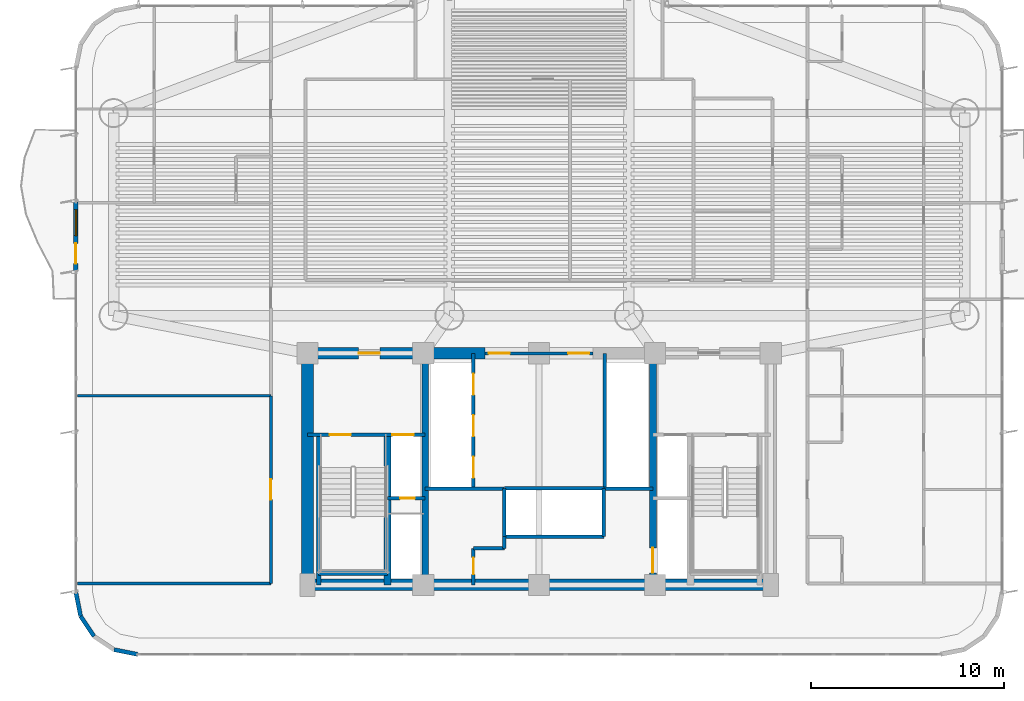
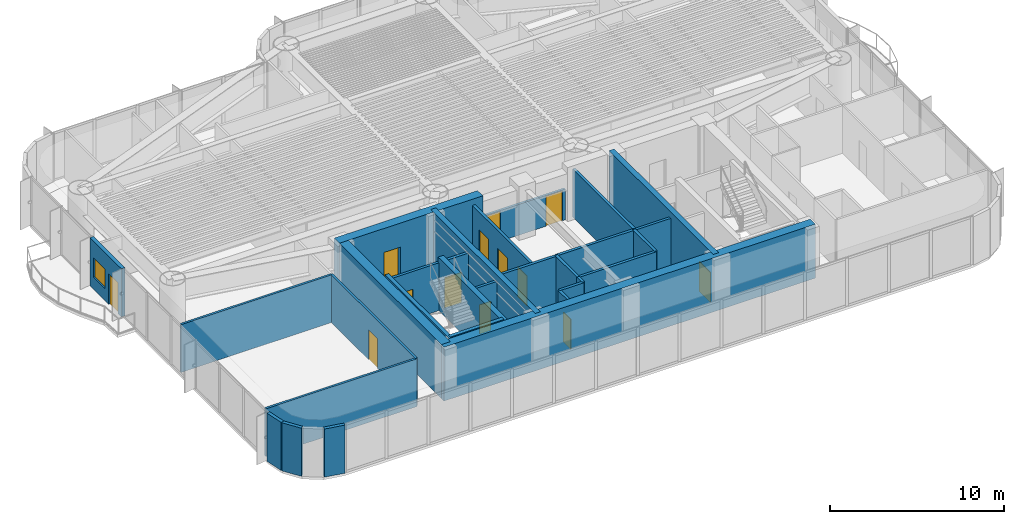
# One storey, part 9 of 17: 29 walls, 13 doors, 1 window, 14 openings.
"""IFC4 building model written with IfcOpenShell, lengths in metres."""

from ifc_helpers import new_model, si_unit, direction, frame, frame_2d, origin, origin_2d, place, context, subcontext, project, spatial, rectangle, extrude, source, transform, mapped, material, layer, layer_set, type_object, element, fill, save


model = new_model("IFC4")

# Units and contexts
model_context = context("Model", 3, precision=1e-05, world=origin(), true_north=direction((0.0, 1.0)))
body_context = subcontext(model_context, "Body", "Model", "MODEL_VIEW")
ifc_project = project(units=[si_unit("LENGTHUNIT", "METRE"), si_unit("AREAUNIT", "SQUARE_METRE"), si_unit("VOLUMEUNIT", "CUBIC_METRE"), si_unit("PLANEANGLEUNIT", "RADIAN"), si_unit("MASSUNIT", "GRAM", prefix="KILO")], contexts=[model_context])

# Site, building, storey
site_placement = place(None, origin())
site = spatial("IfcSite", under=ifc_project, at=site_placement, CompositionType="ELEMENT")
building_placement = place(site_placement, origin())
building = spatial("IfcBuilding", under=site, at=building_placement, Name="Brelvock Crest Care Tower", CompositionType="ELEMENT")
storey_placement = place(building_placement, frame((0.0, 0.0, 76.139892578125)))
storey = spatial("IfcBuildingStorey", under=building, at=storey_placement, Name="L19", CompositionType="ELEMENT", Elevation=76.139892578125)

# Walls
ifc_material_1 = material(Name="Concrete S80 (80 MPa)", Category="concrete")
ifc_layer_1 = layer(ifc_material_1, 0.60009765625, Name="WL-CS1")
ifc_layer_set_1 = layer_set([ifc_layer_1], Name="Concrete S80 (80 MPa)")
wall_type_1 = type_object("IfcWallType", Name="WL-CS1", PredefinedType="SHEAR", material=ifc_layer_set_1)
wall_1_placement = place(storey_placement, frame((48.300048828125, 6.0, 0.0), z_axis=(0.0, 0.0, 1.0), x_axis=(-1.0, 0.0, 0.0)))
element("IfcWall", 1, at=wall_1_placement, inside=storey, type_object=wall_type_1, Name="L19 Core South Shear Wall", PredefinedType="SHEAR", context=body_context, shape_type="SweptSolid", body=[
    extrude(rectangle(XDim=24.60009765625, YDim=0.60009765625, at=frame_2d((12.300048828125, 0.0))), origin(), (0.0, 0.0, 1.0), 3.780029296875),
])
wall_2_placement = place(storey_placement, frame((24.0, 6.0, 0.0), z_axis=(0.0, 0.0, 1.0), x_axis=(0.0, 1.0, 0.0)))
element("IfcWall", 2, at=wall_2_placement, inside=storey, type_object=wall_type_1, Name="L19 Core West Shear Wall", PredefinedType="SHEAR", context=body_context, shape_type="SweptSolid", body=[
    extrude(rectangle(XDim=12.0, YDim=0.60009765625, at=frame_2d((6.0, 0.0))), origin(), (0.0, 0.0, 1.0), 3.780029296875),
])

# Wall, opening, door
wall_3_placement = place(storey_placement, frame((23.699951171875, 18.0, 0.0), z_axis=(0.0, 0.0, 1.0), x_axis=(1.0, 0.0, 0.0)))
wall_3 = element("IfcWall", 3, at=wall_3_placement, inside=storey, type_object=wall_type_1, Name="L19 Core North-West Shear Wall", PredefinedType="SHEAR", context=body_context, shape_type="SweptSolid", body=[
    extrude(rectangle(XDim=9.5, YDim=0.60009765625, at=frame_2d((4.75, 0.0))), origin(), (0.0, 0.0, 1.0), 3.780029296875),
])
opening_1_placement = place(wall_3_placement, frame((2.949951171875, 0.0, 0.0)))
opening_1 = element("IfcOpeningElement", 4, at=opening_1_placement, cuts=wall_3, Name="Opening FD-1", PredefinedType="OPENING", context=body_context, shape_type="SweptSolid", body=[
    extrude(rectangle(XDim=1.10009765625, YDim=2.10009765625, at=origin_2d()), frame((0.550048828125, 0.31005859375, 1.050048828125), z_axis=(0.0, -1.0, 0.0), x_axis=(1.0, 0.0, 0.0)), (0.0, 0.0, 1.0), 0.6201171875),
])
ifc_material_2 = material(Name="Steel Grade 350", Category="steel")
door_type_1 = type_object("IfcDoorType", Name="DR-FFL1", OperationType="NOTDEFINED", PredefinedType="DOOR", material=ifc_material_2)
shared_shape_1 = source(origin(), body_context, "Body", "SweptSolid", [
    extrude(rectangle(XDim=1.10009765625, YDim=2.10009765625, at=origin_2d()), frame((0.550048828125, 0.02490234375, 1.050048828125), z_axis=(0.0, -1.0, 0.0), x_axis=(1.0, 0.0, 0.0)), (0.0, 0.0, 1.0), 0.050048828125),
])
door_1_placement = place(opening_1_placement, origin())
door_1 = element("IfcDoor", 5, at=door_1_placement, inside=storey, type_object=door_type_1, Name="L19 Firefighting Lobby FFL-1 Exit Door", OperationType="SINGLE_SWING_LEFT", OverallHeight=2.10009765625, OverallWidth=1.10009765625, PredefinedType="DOOR", context=body_context, shape_type="MappedRepresentation", body=[
    mapped(shared_shape_1, transform((0.0, 0.0, 0.0), x_axis=(1.0, 0.0, 0.0), y_axis=(0.0, 1.0, 0.0), z_axis=(0.0, 0.0, 1.0), scale=1.0)),
])
fill(opening_1, door_1)

# Wall
ifc_layer_2 = layer(ifc_material_1, 0.35009765625, Name="WL-CS5")
ifc_layer_set_2 = layer_set([ifc_layer_2], Name="Concrete S80 (80 MPa)")
wall_type_2 = type_object("IfcWallType", Name="WL-CS5", PredefinedType="SHEAR", material=ifc_layer_set_2)
wall_4_placement = place(storey_placement, frame((30.10009765625, 6.0, 0.0), z_axis=(0.0, 0.0, 1.0), x_axis=(0.0, 1.0, 0.0)))
element("IfcWall", 6, at=wall_4_placement, inside=storey, type_object=wall_type_2, Name="L19 Core Internal Web Wall West", PredefinedType="SHEAR", context=body_context, shape_type="SweptSolid", body=[
    extrude(rectangle(XDim=12.0, YDim=0.35009765625, at=frame_2d((6.0, 0.0))), origin(), (0.0, 0.0, 1.0), 3.780029296875),
])

# Wall, opening, door
wall_5_placement = place(storey_placement, frame((41.89990234375, 18.0, 0.0), z_axis=(0.0, 0.0, 1.0), x_axis=(0.0, -1.0, 0.0)))
wall_5 = element("IfcWall", 7, at=wall_5_placement, inside=storey, type_object=wall_type_2, Name="L19 Core Internal Web Wall East", PredefinedType="SHEAR", context=body_context, shape_type="SweptSolid", body=[
    extrude(rectangle(XDim=12.0, YDim=0.35009765625, at=frame_2d((6.0, 0.0))), origin(), (0.0, 0.0, 1.0), 3.780029296875),
])
opening_2_placement = place(wall_5_placement, frame((10.080078125, 0.0, 0.0)))
opening_2 = element("IfcOpeningElement", 8, at=opening_2_placement, cuts=wall_5, Name="Opening LD-S", PredefinedType="OPENING", context=body_context, shape_type="SweptSolid", body=[
    extrude(rectangle(XDim=1.300048828125, YDim=2.10009765625, at=origin_2d()), frame((0.64990234375, 0.18505859375, 1.050048828125), z_axis=(0.0, -1.0, 0.0), x_axis=(1.0, 0.0, 0.0)), (0.0, 0.0, 1.0), 0.3701171875),
])
door_type_2 = type_object("IfcDoorType", Name="DR-LDS1", OperationType="NOTDEFINED", PredefinedType="DOOR", material=ifc_material_2)
shared_shape_2 = source(origin(), body_context, "Body", "SweptSolid", [
    extrude(rectangle(XDim=1.300048828125, YDim=2.10009765625, at=origin_2d()), frame((0.64990234375, 0.02490234375, 1.050048828125), z_axis=(0.0, -1.0, 0.0), x_axis=(1.0, 0.0, 0.0)), (0.0, 0.0, 1.0), 0.050048828125),
])
door_2_placement = place(opening_2_placement, origin())
door_2 = element("IfcDoor", 9, at=door_2_placement, inside=storey, type_object=door_type_2, Name="L19 Clinical Bed Lift SL-1 Landing Door", OperationType="SLIDING_TO_LEFT", OverallHeight=2.10009765625, OverallWidth=1.300048828125, PredefinedType="DOOR", context=body_context, shape_type="MappedRepresentation", body=[
    mapped(shared_shape_2, transform((0.0, 0.0, 0.0), x_axis=(1.0, 0.0, 0.0), y_axis=(0.0, 1.0, 0.0), z_axis=(0.0, 0.0, 1.0), scale=1.0)),
])
fill(opening_2, door_2)

# Walls
wall_6_placement = place(storey_placement, frame((28.14990234375, 6.0, 0.0), z_axis=(0.0, 0.0, 1.0), x_axis=(0.0, 1.0, 0.0)))
element("IfcWall", 10, at=wall_6_placement, inside=storey, type_object=wall_type_2, Name="L19 Core Stair ST-1 East Shear Wall", PredefinedType="SHEAR", context=body_context, shape_type="SweptSolid", body=[
    extrude(rectangle(XDim=7.780029296875, YDim=0.35009765625, at=frame_2d((3.89013671875, 0.0))), origin(), (0.0, 0.0, 1.0), 3.692138671875),
])
ifc_layer_3 = layer(ifc_material_1, 0.25, Name="WL-CS6")
ifc_layer_set_3 = layer_set([ifc_layer_3], Name="Concrete S80 (80 MPa)")
wall_type_3 = type_object("IfcWallType", Name="WL-CS6", PredefinedType="SHEAR", material=ifc_layer_set_3)
wall_7_placement = place(storey_placement, frame((24.580078125, 6.0, 0.0), z_axis=(0.0, 0.0, 1.0), x_axis=(0.0, 1.0, 0.0)))
element("IfcWall", 11, at=wall_7_placement, inside=storey, type_object=wall_type_3, Name="L19 Core Stair ST-1 West Shear Wall", PredefinedType="SHEAR", context=body_context, shape_type="SweptSolid", body=[
    extrude(rectangle(XDim=7.780029296875, YDim=0.25, at=frame_2d((3.89013671875, 0.0))), origin(), (0.0, 0.0, 1.0), 3.692138671875),
])
wall_8_placement = place(storey_placement, frame((24.580078125, 6.6201171875, 0.0), z_axis=(0.0, 0.0, 1.0), x_axis=(1.0, 0.0, 0.0)))
element("IfcWall", 12, at=wall_8_placement, inside=storey, type_object=wall_type_3, Name="L19 Core Stair ST-1 South Shear Wall", PredefinedType="SHEAR", context=body_context, shape_type="SweptSolid", body=[
    extrude(rectangle(XDim=3.56982421875, YDim=0.25, at=frame_2d((1.784912109375, 0.0))), origin(), (0.0, 0.0, 1.0), 3.692138671875),
])

# Wall, openings, door, window
ifc_material_3 = material(Name="Precast concrete N40 (40 MPa)", Category="concrete")
ifc_layer_4 = layer(ifc_material_3, 0.239990234375, Name="WL-EX1")
ifc_layer_set_4 = layer_set([ifc_layer_4], Name="Precast concrete N40 (40 MPa)")
wall_type_4 = type_object("IfcWallType", Name="WL-EX1", PredefinedType="SOLIDWALL", material=ifc_layer_set_4)
wall_9_placement = place(storey_placement, frame((12.0, 22.25, 0.0), z_axis=(0.0, 0.0, 1.0), x_axis=(0.0, 1.0, 0.0)))
wall_9 = element("IfcWall", 13, at=wall_9_placement, inside=storey, type_object=wall_type_4, Name="L19 Exterior Spandrel Wall WL-BAL-L19-W", PredefinedType="SOLIDWALL", context=body_context, shape_type="SweptSolid", body=[
    extrude(rectangle(XDim=3.60009765625, YDim=0.239990234375, at=frame_2d((1.800048828125, 0.0))), origin(), (0.0, 0.0, 1.0), 3.3720703125),
])
opening_3_placement = place(wall_9_placement, frame((0.39990234375, 0.0, 0.0)))
opening_3 = element("IfcOpeningElement", 14, at=opening_3_placement, cuts=wall_9, Name="Opening BD-1", PredefinedType="OPENING", context=body_context, shape_type="SweptSolid", body=[
    extrude(rectangle(XDim=1.050048828125, YDim=2.14990234375, at=origin_2d()), frame((0.52490234375, 0.1298828125, 1.074951171875), z_axis=(0.0, -1.0, 0.0), x_axis=(1.0, 0.0, 0.0)), (0.0, 0.0, 1.0), 0.260009765625),
])
opening_4_placement = place(wall_9_placement, frame((1.85009765625, 0.0, 0.85009765625)))
opening_4 = element("IfcOpeningElement", 15, at=opening_4_placement, cuts=wall_9, Name="Opening W-01", PredefinedType="OPENING", context=body_context, shape_type="SweptSolid", body=[
    extrude(rectangle(XDim=1.35009765625, YDim=1.35009765625, at=origin_2d()), frame((0.675048828125, 0.1298828125, 0.675048828125), z_axis=(0.0, -1.0, 0.0), x_axis=(1.0, 0.0, 0.0)), (0.0, 0.0, 1.0), 0.260009765625),
])
ifc_material_4 = material(Name="Dark Glass Double Glazed Low-E", Category="glass")
door_type_3 = type_object("IfcDoorType", Name="DR-BAL1", OperationType="NOTDEFINED", PredefinedType="DOOR", material=ifc_material_4)
shared_shape_3 = source(origin(), body_context, "Body", "SweptSolid", [
    extrude(rectangle(XDim=1.050048828125, YDim=2.14990234375, at=origin_2d()), frame((0.52490234375, 0.02490234375, 1.074951171875), z_axis=(0.0, -1.0, 0.0), x_axis=(1.0, 0.0, 0.0)), (0.0, 0.0, 1.0), 0.050048828125),
])
door_3_placement = place(opening_3_placement, origin())
door_3 = element("IfcDoor", 16, at=door_3_placement, inside=storey, type_object=door_type_3, Name="L19 W Wave Balcony Glazed Door", OperationType="SINGLE_SWING_LEFT", OverallHeight=2.14990234375, OverallWidth=1.050048828125, PredefinedType="DOOR", context=body_context, shape_type="MappedRepresentation", body=[
    mapped(shared_shape_3, transform((0.0, 0.0, 0.0), x_axis=(1.0, 0.0, 0.0), y_axis=(0.0, 1.0, 0.0), z_axis=(0.0, 0.0, 1.0), scale=1.0)),
])
fill(opening_3, door_3)
window_type = type_object("IfcWindowType", Name="WN-EX1", PartitioningType="SINGLE_PANEL", PredefinedType="WINDOW", material=ifc_material_4)
shared_shape_4 = source(origin(), body_context, "Body", "SweptSolid", [
    extrude(rectangle(XDim=1.35009765625, YDim=1.35009765625, at=origin_2d()), frame((0.675048828125, 0.030029296875, 0.675048828125), z_axis=(0.0, -1.0, 0.0), x_axis=(1.0, 0.0, 0.0)), (0.0, 0.0, 1.0), 0.06005859375),
])
window_placement = place(opening_4_placement, origin())
window = element("IfcWindow", 17, at=window_placement, inside=storey, type_object=window_type, Name="L19 W Suite Casement Window", OverallHeight=1.35009765625, OverallWidth=1.35009765625, PartitioningType="SINGLE_PANEL", PredefinedType="WINDOW", context=body_context, shape_type="MappedRepresentation", body=[
    mapped(shared_shape_4, transform((0.0, 0.0, 0.0), x_axis=(1.0, 0.0, 0.0), y_axis=(0.0, 1.0, 0.0), z_axis=(0.0, 0.0, 1.0), scale=1.0)),
])
fill(opening_4, window)

# Walls
ifc_layer_5 = layer(ifc_material_3, 0.215087890625, Name="WL-EX2")
ifc_layer_set_5 = layer_set([ifc_layer_5], Name="Precast concrete N40 (40 MPa)")
wall_type_5 = type_object("IfcWallType", Name="WL-EX2", PredefinedType="SOLIDWALL", material=ifc_layer_set_5)
for number, where, z_axis, x_axis, name in (
    (18, (15.199951171875, 2.39990234375, 0.0), (0.0, 0.0, 1.0), (-0.980775717779, 0.195138390419, 0.0), "L19 Rounded Corner Wall 09"),
    (19, (12.937255859375, 3.33740234375, 0.0), (0.0, 0.0, 1.0), (-0.555557312883, 0.831478245117, 0.0), "L19 Rounded Corner Wall 11"),
    (20, (12.24365234375, 4.37548828125, 0.0), (0.0, 0.0, 1.0), (-0.195138390419, 0.980775717779, 0.0), "L19 Rounded Corner Wall 12"),
):
    element("IfcWall", number, at=place(storey_placement, frame(where, z_axis=z_axis, x_axis=x_axis)), inside=storey, type_object=wall_type_5, Name=name, PredefinedType="SOLIDWALL", context=body_context, shape_type="SweptSolid", body=[
        extrude(rectangle(XDim=1.24853515625, YDim=0.215087890625, at=frame_2d((0.624267578125, 0.0))), origin(), (0.0, 0.0, 1.0), 3.3720703125),
    ])

# Wall, openings, doors
ifc_material_5 = material(Name="Masonry Blockwork Acoustic Partition", Category="masonry")
ifc_layer_6 = layer(ifc_material_5, 0.14990234375, Name="WL-INT1")
ifc_layer_set_6 = layer_set([ifc_layer_6], Name="Masonry Blockwork Acoustic Partition")
wall_type_6 = type_object("IfcWallType", Name="WL-INT1", PredefinedType="PARTITIONING", material=ifc_layer_set_6)
wall_10_placement = place(storey_placement, frame((33.199951171875, 18.0, 0.0), z_axis=(0.0, 0.0, 1.0), x_axis=(1.0, 0.0, 0.0)))
wall_10 = element("IfcWall", 21, at=wall_10_placement, inside=storey, type_object=wall_type_6, Name="L19 Interior Wall WL-CORE-NPORT-L19", PredefinedType="PARTITIONING", context=body_context, shape_type="SweptSolid", body=[
    extrude(rectangle(XDim=5.60009765625, YDim=0.14990234375, at=frame_2d((2.800048828125, 0.0))), origin(), (0.0, 0.0, 1.0), 2.1572265625),
])
opening_5_placement = place(wall_10_placement, frame((0.18994140625, 0.0, 0.0)))
opening_5 = element("IfcOpeningElement", 22, at=opening_5_placement, cuts=wall_10, Name="Opening FD-1", PredefinedType="OPENING", context=body_context, shape_type="SweptSolid", body=[
    extrude(rectangle(XDim=1.10009765625, YDim=2.096923828125, at=origin_2d()), frame((0.550048828125, 0.0849609375, 1.04833984375), z_axis=(0.0, -1.0, 0.0), x_axis=(1.0, 0.0, 0.0)), (0.0, 0.0, 1.0), 0.169921875),
])
opening_6_placement = place(wall_10_placement, frame((4.31005859375, 0.0, 0.0)))
opening_6 = element("IfcOpeningElement", 23, at=opening_6_placement, cuts=wall_10, Name="Opening FD-1", PredefinedType="OPENING", context=body_context, shape_type="SweptSolid", body=[
    extrude(rectangle(XDim=1.10009765625, YDim=2.096923828125, at=origin_2d()), frame((0.550048828125, 0.0849609375, 1.04833984375), z_axis=(0.0, -1.0, 0.0), x_axis=(1.0, 0.0, 0.0)), (0.0, 0.0, 1.0), 0.169921875),
])
shared_shape_5 = source(origin(), body_context, "Body", "SweptSolid", [
    extrude(rectangle(XDim=1.10009765625, YDim=2.096923828125, at=origin_2d()), frame((0.550048828125, 0.02490234375, 1.04833984375), z_axis=(0.0, -1.0, 0.0), x_axis=(1.0, 0.0, 0.0)), (0.0, 0.0, 1.0), 0.050048828125),
])
door_4_placement = place(opening_5_placement, origin())
door_4 = element("IfcDoor", 24, at=door_4_placement, inside=storey, type_object=door_type_1, Name="L19 Lift Lobby North Smoke Door West", OperationType="SINGLE_SWING_LEFT", OverallHeight=2.096923828125, OverallWidth=1.10009765625, PredefinedType="DOOR", context=body_context, shape_type="MappedRepresentation", body=[
    mapped(shared_shape_5, transform((0.0, 0.0, 0.0), x_axis=(1.0, 0.0, 0.0), y_axis=(0.0, 1.0, 0.0), z_axis=(0.0, 0.0, 1.0), scale=1.0)),
])
fill(opening_5, door_4)
door_5_placement = place(opening_6_placement, origin())
door_5 = element("IfcDoor", 25, at=door_5_placement, inside=storey, type_object=door_type_1, Name="L19 Lift Lobby North Smoke Door East", OperationType="SINGLE_SWING_RIGHT", OverallHeight=2.096923828125, OverallWidth=1.10009765625, PredefinedType="DOOR", context=body_context, shape_type="MappedRepresentation", body=[
    mapped(shared_shape_5, transform((0.0, 0.0, 0.0), x_axis=(1.0, 0.0, 0.0), y_axis=(0.0, 1.0, 0.0), z_axis=(0.0, 0.0, 1.0), scale=1.0)),
])
fill(opening_6, door_5)

# Walls
for number, where, z_axis, x_axis, name in (
    (26, (12.080078125, 6.080078125, 0.0), (0.0, 0.0, 1.0), (1.0, 0.0, 0.0), "L19 Interior Wall WL-BX-L19-WWC1-S"),
    (27, (12.080078125, 15.800048828125, 0.0), (0.0, 0.0, 1.0), (1.0, 0.0, 0.0), "L19 Interior Wall WL-BX-L19-WWC1-N"),
):
    element("IfcWall", number, at=place(storey_placement, frame(where, z_axis=z_axis, x_axis=x_axis)), inside=storey, type_object=wall_type_6, Name=name, PredefinedType="PARTITIONING", context=body_context, shape_type="SweptSolid", body=[
        extrude(rectangle(XDim=10.02001953125, YDim=0.14990234375, at=frame_2d((5.010009765625, 0.0))), origin(), (0.0, 0.0, 1.0), 3.342041015625),
    ])

# Wall, opening, door
wall_11_placement = place(storey_placement, frame((22.10009765625, 6.080078125, 0.0), z_axis=(0.0, 0.0, 1.0), x_axis=(0.0, 1.0, 0.0)))
wall_11 = element("IfcWall", 28, at=wall_11_placement, inside=storey, type_object=wall_type_6, Name="L19 Interior Wall WL-RM-L19-WWC1", PredefinedType="PARTITIONING", context=body_context, shape_type="SweptSolid", body=[
    extrude(rectangle(XDim=9.719970703125, YDim=0.14990234375, at=frame_2d((4.85986328125, 0.0))), origin(), (0.0, 0.0, 1.0), 3.342041015625),
])
opening_7_placement = place(wall_11_placement, frame((4.3349609375, 0.0, 0.0)))
opening_7 = element("IfcOpeningElement", 29, at=opening_7_placement, cuts=wall_11, Name="Opening CLD-1", PredefinedType="OPENING", context=body_context, shape_type="SweptSolid", body=[
    extrude(rectangle(XDim=1.050048828125, YDim=2.10009765625, at=origin_2d()), frame((0.52490234375, 0.0849609375, 1.050048828125), z_axis=(0.0, -1.0, 0.0), x_axis=(1.0, 0.0, 0.0)), (0.0, 0.0, 1.0), 0.169921875),
])
ifc_material_6 = material(Name="Engineered Hardwood Timber", Category="wood")
door_type_4 = type_object("IfcDoorType", Name="DR-CLN1", OperationType="NOTDEFINED", PredefinedType="DOOR", material=ifc_material_6)
shared_shape_6 = source(origin(), body_context, "Body", "SweptSolid", [
    extrude(rectangle(XDim=1.050048828125, YDim=2.10009765625, at=origin_2d()), frame((0.52490234375, 0.02490234375, 1.050048828125), z_axis=(0.0, -1.0, 0.0), x_axis=(1.0, 0.0, 0.0)), (0.0, 0.0, 1.0), 0.050048828125),
])
door_6_placement = place(opening_7_placement, origin())
door_6 = element("IfcDoor", 30, at=door_6_placement, inside=storey, type_object=door_type_4, Name="L19 Hydro-Balance Physiotherapy Clinic Door WWC1", OperationType="SINGLE_SWING_LEFT", OverallHeight=2.10009765625, OverallWidth=1.050048828125, PredefinedType="DOOR", context=body_context, shape_type="MappedRepresentation", body=[
    mapped(shared_shape_6, transform((0.0, 0.0, 0.0), x_axis=(1.0, 0.0, 0.0), y_axis=(0.0, 1.0, 0.0), z_axis=(0.0, 0.0, 1.0), scale=1.0)),
])
fill(opening_7, door_6)

# Walls
ifc_layer_7 = layer(ifc_material_5, 0.179931640625, Name="WL-SHF1")
ifc_layer_set_7 = layer_set([ifc_layer_7], Name="Masonry Blockwork Acoustic Partition")
wall_type_7 = type_object("IfcWallType", Name="WL-SHF1", PredefinedType="PARTITIONING", material=ifc_layer_set_7)
for number, where, z_axis, x_axis, name in (
    (31, (34.199951171875, 11.0, 0.0), (0.0, 0.0, 1.0), (1.0, 0.0, 0.0), "L19 Interior Wall WL-PLM-SHF-L19"),
    (32, (34.199951171875, 8.5, 0.0), (0.0, 0.0, 1.0), (1.0, 0.0, 0.0), "L19 Interior Wall WL-PLM-S-L19"),
):
    element("IfcWall", number, at=place(storey_placement, frame(where, z_axis=z_axis, x_axis=x_axis)), inside=storey, type_object=wall_type_7, Name=name, PredefinedType="PARTITIONING", context=body_context, shape_type="SweptSolid", body=[
        extrude(rectangle(XDim=5.150146484375, YDim=0.179931640625, at=frame_2d((2.5751953125, 0.0))), origin(), (0.0, 0.0, 1.0), 3.342041015625),
    ])
for number, where, z_axis, x_axis, name in (
    (33, (34.199951171875, 8.5, 0.0), (0.0, 0.0, 1.0), (0.0, 1.0, 0.0), "L19 Interior Wall WL-PLM-W-L19"),
    (34, (39.35009765625, 8.5, 0.0), (0.0, 0.0, 1.0), (0.0, 1.0, 0.0), "L19 Interior Wall WL-PLM-E-L19"),
):
    element("IfcWall", number, at=place(storey_placement, frame(where, z_axis=z_axis, x_axis=x_axis)), inside=storey, type_object=wall_type_7, Name=name, PredefinedType="PARTITIONING", context=body_context, shape_type="SweptSolid", body=[
        extrude(rectangle(XDim=2.5, YDim=0.179931640625, at=frame_2d((1.25, 0.0))), origin(), (0.0, 0.0, 1.0), 3.342041015625),
    ])
wall_12_placement = place(storey_placement, frame((39.39990234375, 11.0, 0.0), z_axis=(0.0, 0.0, 1.0), x_axis=(0.0, 1.0, 0.0)))
element("IfcWall", 35, at=wall_12_placement, inside=storey, type_object=wall_type_7, Name="L19 Interior Wall WL-PLH-SHF-L19", PredefinedType="PARTITIONING", context=body_context, shape_type="SweptSolid", body=[
    extrude(rectangle(XDim=7.0, YDim=0.179931640625, at=frame_2d((3.5, 0.0))), origin(), (0.0, 0.0, 1.0), 3.342041015625),
])
wall_13_placement = place(storey_placement, frame((30.10009765625, 10.97998046875, 0.0), z_axis=(0.0, 0.0, 1.0), x_axis=(1.0, 0.0, 0.0)))
element("IfcWall", 36, at=wall_13_placement, inside=storey, type_object=wall_type_7, Name="L19 Interior Wall WL-CSBW-N-L19", PredefinedType="PARTITIONING", context=body_context, shape_type="SweptSolid", body=[
    extrude(rectangle(XDim=4.079833984375, YDim=0.179931640625, at=frame_2d((2.0400390625, 0.0))), origin(), (0.0, 0.0, 1.0), 3.342041015625),
])
wall_14_placement = place(storey_placement, frame((34.199951171875, 7.89990234375, 0.0), z_axis=(0.0, 0.0, 1.0), x_axis=(0.0, 1.0, 0.0)))
element("IfcWall", 37, at=wall_14_placement, inside=storey, type_object=wall_type_7, Name="L19 Interior Wall WL-CSBW-E2-L19", PredefinedType="PARTITIONING", context=body_context, shape_type="SweptSolid", body=[
    extrude(rectangle(XDim=0.60009765625, YDim=0.179931640625, at=frame_2d((0.300048828125, 0.0))), origin(), (0.0, 0.0, 1.0), 3.342041015625),
])
wall_15_placement = place(storey_placement, frame((32.60009765625, 7.89990234375, 0.0), z_axis=(0.0, 0.0, 1.0), x_axis=(1.0, 0.0, 0.0)))
element("IfcWall", 38, at=wall_15_placement, inside=storey, type_object=wall_type_7, Name="L19 Interior Wall WL-CSBW-S2-L19", PredefinedType="PARTITIONING", context=body_context, shape_type="SweptSolid", body=[
    extrude(rectangle(XDim=1.599853515625, YDim=0.179931640625, at=frame_2d((0.7998046875, 0.0))), origin(), (0.0, 0.0, 1.0), 3.342041015625),
])

# Wall, opening, door
wall_16_placement = place(storey_placement, frame((32.60009765625, 6.0, 0.0), z_axis=(0.0, 0.0, 1.0), x_axis=(0.0, 1.0, 0.0)))
wall_16 = element("IfcWall", 39, at=wall_16_placement, inside=storey, type_object=wall_type_7, Name="L19 Interior Wall WL-CSBW-E1-L19", PredefinedType="PARTITIONING", context=body_context, shape_type="SweptSolid", body=[
    extrude(rectangle(XDim=1.89990234375, YDim=0.179931640625, at=frame_2d((0.949951171875, 0.0))), origin(), (0.0, 0.0, 1.0), 3.342041015625),
])
opening_8_placement = place(wall_16_placement, frame((0.550048828125, 0.0, 0.0)))
opening_8 = element("IfcOpeningElement", 40, at=opening_8_placement, cuts=wall_16, Name="Opening ID-1", PredefinedType="OPENING", context=body_context, shape_type="SweptSolid", body=[
    extrude(rectangle(XDim=0.860107421875, YDim=2.10009765625, at=origin_2d()), frame((0.43017578125, 0.10009765625, 1.050048828125), z_axis=(0.0, -1.0, 0.0), x_axis=(1.0, 0.0, 0.0)), (0.0, 0.0, 1.0), 0.199951171875),
])
door_type_5 = type_object("IfcDoorType", Name="DR-INT1", OperationType="NOTDEFINED", PredefinedType="DOOR", material=ifc_material_6)
shared_shape_7 = source(origin(), body_context, "Body", "SweptSolid", [
    extrude(rectangle(XDim=0.860107421875, YDim=2.10009765625, at=origin_2d()), frame((0.43017578125, 0.02490234375, 1.050048828125), z_axis=(0.0, -1.0, 0.0), x_axis=(1.0, 0.0, 0.0)), (0.0, 0.0, 1.0), 0.050048828125),
])
door_7_placement = place(opening_8_placement, origin())
door_7 = element("IfcDoor", 41, at=door_7_placement, inside=storey, type_object=door_type_5, Name="DR-CSBW-L19", OperationType="SINGLE_SWING_LEFT", OverallHeight=2.10009765625, OverallWidth=0.860107421875, PredefinedType="DOOR", context=body_context, shape_type="MappedRepresentation", body=[
    mapped(shared_shape_7, transform((0.0, 0.0, 0.0), x_axis=(1.0, 0.0, 0.0), y_axis=(0.0, 1.0, 0.0), z_axis=(0.0, 0.0, 1.0), scale=1.0)),
])
fill(opening_8, door_7)

# Wall
wall_17_placement = place(storey_placement, frame((39.35009765625, 10.97998046875, 0.0), z_axis=(0.0, 0.0, 1.0), x_axis=(1.0, 0.0, 0.0)))
element("IfcWall", 42, at=wall_17_placement, inside=storey, type_object=wall_type_7, Name="L19 Interior Wall WL-CSBE-N-L19", PredefinedType="PARTITIONING", context=body_context, shape_type="SweptSolid", body=[
    extrude(rectangle(XDim=2.5498046875, YDim=0.179931640625, at=frame_2d((1.27490234375, 0.0))), origin(), (0.0, 0.0, 1.0), 3.342041015625),
])

# Wall, openings, doors
wall_18_placement = place(storey_placement, frame((24.0, 13.780029296875, 0.0), z_axis=(0.0, 0.0, 1.0), x_axis=(1.0, 0.0, 0.0)))
wall_18 = element("IfcWall", 43, at=wall_18_placement, inside=storey, type_object=wall_type_7, Name="L19 Interior Wall WL-ST1-N-L19", PredefinedType="PARTITIONING", context=body_context, shape_type="SweptSolid", body=[
    extrude(rectangle(XDim=6.10009765625, YDim=0.179931640625, at=frame_2d((3.050048828125, 0.0))), origin(), (0.0, 0.0, 1.0), 3.342041015625),
])
opening_9_placement = place(wall_18_placement, frame((1.14990234375, 0.0, 0.0)))
opening_9 = element("IfcOpeningElement", 44, at=opening_9_placement, cuts=wall_18, Name="Opening SD-1", PredefinedType="OPENING", context=body_context, shape_type="SweptSolid", body=[
    extrude(rectangle(XDim=1.10009765625, YDim=2.10009765625, at=origin_2d()), frame((0.550048828125, 0.10009765625, 1.050048828125), z_axis=(0.0, -1.0, 0.0), x_axis=(1.0, 0.0, 0.0)), (0.0, 0.0, 1.0), 0.199951171875),
])
opening_10_placement = place(wall_18_placement, frame((4.39990234375, 0.0, 0.0)))
opening_10 = element("IfcOpeningElement", 45, at=opening_10_placement, cuts=wall_18, Name="Opening LD", PredefinedType="OPENING", context=body_context, shape_type="SweptSolid", body=[
    extrude(rectangle(XDim=1.10009765625, YDim=2.10009765625, at=origin_2d()), frame((0.550048828125, 0.10009765625, 1.050048828125), z_axis=(0.0, -1.0, 0.0), x_axis=(1.0, 0.0, 0.0)), (0.0, 0.0, 1.0), 0.199951171875),
])
door_type_6 = type_object("IfcDoorType", Name="DR-ST1", OperationType="NOTDEFINED", PredefinedType="DOOR", material=ifc_material_2)
shared_shape_8 = source(origin(), body_context, "Body", "SweptSolid", [
    extrude(rectangle(XDim=1.10009765625, YDim=2.10009765625, at=origin_2d()), frame((0.550048828125, 0.02490234375, 1.050048828125), z_axis=(0.0, -1.0, 0.0), x_axis=(1.0, 0.0, 0.0)), (0.0, 0.0, 1.0), 0.050048828125),
])
door_8_placement = place(opening_9_placement, origin())
door_8 = element("IfcDoor", 46, at=door_8_placement, inside=storey, type_object=door_type_6, Name="L19 Fire Stair ST-1 Door", OperationType="SINGLE_SWING_LEFT", OverallHeight=2.10009765625, OverallWidth=1.10009765625, PredefinedType="DOOR", context=body_context, shape_type="MappedRepresentation", body=[
    mapped(shared_shape_8, transform((0.0, 0.0, 0.0), x_axis=(1.0, 0.0, 0.0), y_axis=(0.0, 1.0, 0.0), z_axis=(0.0, 0.0, 1.0), scale=1.0)),
])
fill(opening_9, door_8)
door_type_7 = type_object("IfcDoorType", Name="DR-LD1", OperationType="NOTDEFINED", PredefinedType="DOOR", material=ifc_material_2)
shared_shape_9 = source(origin(), body_context, "Body", "SweptSolid", [
    extrude(rectangle(XDim=1.10009765625, YDim=2.10009765625, at=origin_2d()), frame((0.550048828125, 0.02490234375, 1.050048828125), z_axis=(0.0, -1.0, 0.0), x_axis=(1.0, 0.0, 0.0)), (0.0, 0.0, 1.0), 0.050048828125),
])
door_9_placement = place(opening_10_placement, origin())
door_9 = element("IfcDoor", 47, at=door_9_placement, inside=storey, type_object=door_type_7, Name="L19 Firefighting Lift FFL-1 Landing Door", OperationType="SLIDING_TO_LEFT", OverallHeight=2.10009765625, OverallWidth=1.10009765625, PredefinedType="DOOR", context=body_context, shape_type="MappedRepresentation", body=[
    mapped(shared_shape_9, transform((0.0, 0.0, 0.0), x_axis=(1.0, 0.0, 0.0), y_axis=(0.0, 1.0, 0.0), z_axis=(0.0, 0.0, 1.0), scale=1.0)),
])
fill(opening_10, door_9)

# Wall, opening, door
wall_19_placement = place(storey_placement, frame((28.14990234375, 10.5, 0.0), z_axis=(0.0, 0.0, 1.0), x_axis=(1.0, 0.0, 0.0)))
wall_19 = element("IfcWall", 48, at=wall_19_placement, inside=storey, type_object=wall_type_7, Name="L19 Interior Wall WL-FFH1-S-L19", PredefinedType="PARTITIONING", context=body_context, shape_type="SweptSolid", body=[
    extrude(rectangle(XDim=1.9501953125, YDim=0.179931640625, at=frame_2d((0.97509765625, 0.0))), origin(), (0.0, 0.0, 1.0), 3.342041015625),
])
opening_11_placement = place(wall_19_placement, frame((0.64990234375, 0.0, 0.0)))
opening_11 = element("IfcOpeningElement", 49, at=opening_11_placement, cuts=wall_19, Name="Opening RD-1", PredefinedType="OPENING", context=body_context, shape_type="SweptSolid", body=[
    extrude(rectangle(XDim=0.760009765625, YDim=2.050048828125, at=origin_2d()), frame((0.3798828125, 0.10009765625, 1.02490234375), z_axis=(0.0, -1.0, 0.0), x_axis=(1.0, 0.0, 0.0)), (0.0, 0.0, 1.0), 0.199951171875),
])
door_type_8 = type_object("IfcDoorType", Name="DR-RIS1", OperationType="NOTDEFINED", PredefinedType="DOOR", material=ifc_material_2)
shared_shape_10 = source(origin(), body_context, "Body", "SweptSolid", [
    extrude(rectangle(XDim=0.760009765625, YDim=2.050048828125, at=origin_2d()), frame((0.3798828125, 0.02490234375, 1.02490234375), z_axis=(0.0, -1.0, 0.0), x_axis=(1.0, 0.0, 0.0)), (0.0, 0.0, 1.0), 0.050048828125),
])
door_10_placement = place(opening_11_placement, origin())
door_10 = element("IfcDoor", 50, at=door_10_placement, inside=storey, type_object=door_type_8, Name="L19 Wet Fire Riser Access Door", OperationType="SINGLE_SWING_LEFT", OverallHeight=2.050048828125, OverallWidth=0.760009765625, PredefinedType="DOOR", context=body_context, shape_type="MappedRepresentation", body=[
    mapped(shared_shape_10, transform((0.0, 0.0, 0.0), x_axis=(1.0, 0.0, 0.0), y_axis=(0.0, 1.0, 0.0), z_axis=(0.0, 0.0, 1.0), scale=1.0)),
])
fill(opening_11, door_10)

# Wall, openings, doors
wall_20_placement = place(storey_placement, frame((32.60009765625, 11.0, 0.0), z_axis=(0.0, 0.0, 1.0), x_axis=(0.0, 1.0, 0.0)))
wall_20 = element("IfcWall", 51, at=wall_20_placement, inside=storey, type_object=wall_type_7, Name="L19 Interior Wall WL-PLL-BANK-L19", PredefinedType="PARTITIONING", context=body_context, shape_type="SweptSolid", body=[
    extrude(rectangle(XDim=7.0, YDim=0.179931640625, at=frame_2d((3.5, 0.0))), origin(), (0.0, 0.0, 1.0), 3.342041015625),
])
opening_12_placement = place(wall_20_placement, frame((0.550048828125, 0.0, 0.0)))
opening_12 = element("IfcOpeningElement", 52, at=opening_12_placement, cuts=wall_20, Name="Opening LD", PredefinedType="OPENING", context=body_context, shape_type="SweptSolid", body=[
    extrude(rectangle(XDim=1.10009765625, YDim=2.10009765625, at=origin_2d()), frame((0.550048828125, 0.10009765625, 1.050048828125), z_axis=(0.0, -1.0, 0.0), x_axis=(1.0, 0.0, 0.0)), (0.0, 0.0, 1.0), 0.199951171875),
])
opening_13_placement = place(wall_20_placement, frame((2.699951171875, 0.0, 0.0)))
opening_13 = element("IfcOpeningElement", 53, at=opening_13_placement, cuts=wall_20, Name="Opening LD", PredefinedType="OPENING", context=body_context, shape_type="SweptSolid", body=[
    extrude(rectangle(XDim=1.10009765625, YDim=2.10009765625, at=origin_2d()), frame((0.550048828125, 0.10009765625, 1.050048828125), z_axis=(0.0, -1.0, 0.0), x_axis=(1.0, 0.0, 0.0)), (0.0, 0.0, 1.0), 0.199951171875),
])
opening_14_placement = place(wall_20_placement, frame((4.85009765625, 0.0, 0.0)))
opening_14 = element("IfcOpeningElement", 54, at=opening_14_placement, cuts=wall_20, Name="Opening LD", PredefinedType="OPENING", context=body_context, shape_type="SweptSolid", body=[
    extrude(rectangle(XDim=1.10009765625, YDim=2.10009765625, at=origin_2d()), frame((0.550048828125, 0.10009765625, 1.050048828125), z_axis=(0.0, -1.0, 0.0), x_axis=(1.0, 0.0, 0.0)), (0.0, 0.0, 1.0), 0.199951171875),
])
door_11_placement = place(opening_12_placement, origin())
door_11 = element("IfcDoor", 55, at=door_11_placement, inside=storey, type_object=door_type_7, Name="L19 Lift PL-L1 Landing Door", OperationType="SLIDING_TO_LEFT", OverallHeight=2.10009765625, OverallWidth=1.10009765625, PredefinedType="DOOR", context=body_context, shape_type="MappedRepresentation", body=[
    mapped(shared_shape_9, transform((0.0, 0.0, 0.0), x_axis=(1.0, 0.0, 0.0), y_axis=(0.0, 1.0, 0.0), z_axis=(0.0, 0.0, 1.0), scale=1.0)),
])
fill(opening_12, door_11)
door_12_placement = place(opening_13_placement, origin())
door_12 = element("IfcDoor", 56, at=door_12_placement, inside=storey, type_object=door_type_7, Name="L19 Lift PL-L2 Landing Door", OperationType="SLIDING_TO_LEFT", OverallHeight=2.10009765625, OverallWidth=1.10009765625, PredefinedType="DOOR", context=body_context, shape_type="MappedRepresentation", body=[
    mapped(shared_shape_9, transform((0.0, 0.0, 0.0), x_axis=(1.0, 0.0, 0.0), y_axis=(0.0, 1.0, 0.0), z_axis=(0.0, 0.0, 1.0), scale=1.0)),
])
fill(opening_13, door_12)
door_13_placement = place(opening_14_placement, origin())
door_13 = element("IfcDoor", 57, at=door_13_placement, inside=storey, type_object=door_type_7, Name="L19 Lift PL-L3 Landing Door", OperationType="SLIDING_TO_LEFT", OverallHeight=2.10009765625, OverallWidth=1.10009765625, PredefinedType="DOOR", context=body_context, shape_type="MappedRepresentation", body=[
    mapped(shared_shape_9, transform((0.0, 0.0, 0.0), x_axis=(1.0, 0.0, 0.0), y_axis=(0.0, 1.0, 0.0), z_axis=(0.0, 0.0, 1.0), scale=1.0)),
])
fill(opening_14, door_13)

save(model, "model.ifc")
